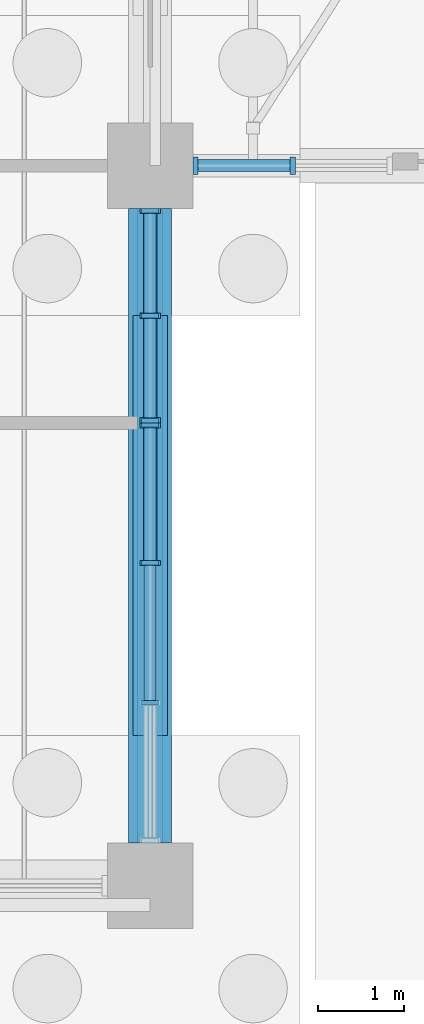
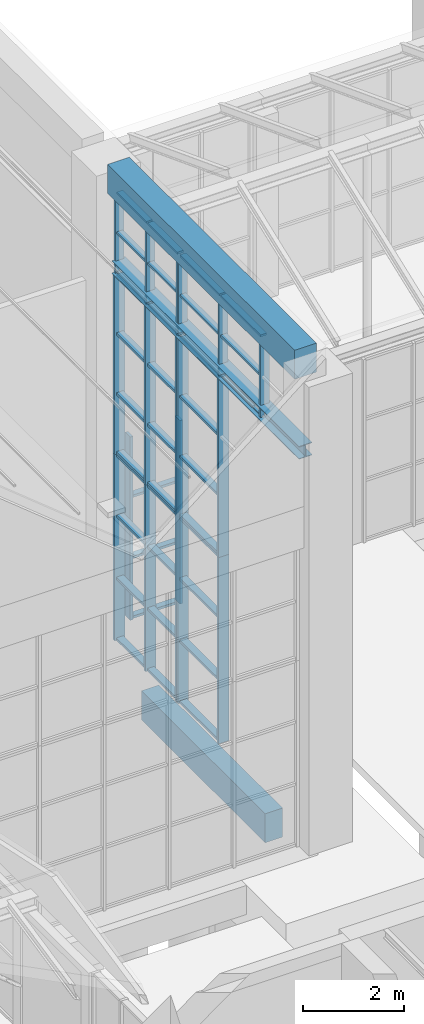
# One storey, part 54 of 138: 57 members, 3 beams, 7 elements without a shape of their own.
"""IFC4 building model written with IfcOpenShell, lengths in metres."""

import ifcopenshell
import ifcopenshell.guid

model = None  # the IFC model being written
_history = None  # IfcOwnerHistory: only IFC2X3 demands one
_inside = {}  # id of a spatial element -> (the spatial element, [elements in it])
_under = {}  # id of a project, library or spatial element -> (it, [spatial elements below it])
_declared = {}  # id of a project -> (the project, [libraries it declares])
_typed = {}  # id of a type object -> (the type object, [elements of that type])
_made_of = {}  # id of a material, layer set ... -> (it, [elements and type objects made of it])


def new_model(schema):
    """Start an empty IFC model of exactly this schema.

    Asked for "IFC4X3", IfcOpenShell would pick the latest addendum, in which some entities
    have other attributes; the version numbers below select the first issue.
    IFC2X3 requires an IfcOwnerHistory on every rooted entity: one is made here for all.
    """
    global model, _history
    if schema == "IFC4X3":
        model = ifcopenshell.file(schema_version=(4, 3, 0, 0))
    else:
        model = ifcopenshell.file(schema=schema)
    _inside.clear()
    _under.clear()
    _declared.clear()
    _typed.clear()
    _made_of.clear()
    _history = None
    if model.schema == "IFC2X3":
        org = make("IfcOrganization", Name="unknown")
        user = make(
            "IfcPersonAndOrganization",
            ThePerson=make("IfcPerson", FamilyName="unknown"),
            TheOrganization=org,
        )
        app = make(
            "IfcApplication",
            ApplicationDeveloper=org,
            Version="unknown",
            ApplicationFullName="unknown",
            ApplicationIdentifier="unknown",
        )
        _history = make(
            "IfcOwnerHistory",
            OwningUser=user,
            OwningApplication=app,
            ChangeAction="ADDED",
            CreationDate=0,
        )
    return model


def make(cls, **values):
    """One entity of the class cls with the attributes given. An attribute that is None is left unset."""
    return model.create_entity(
        cls, **{name: value for name, value in values.items() if value is not None}
    )


def rooted(cls, **values):
    """An entity with a GlobalId (a new one), such as an element, a storey or a relation."""
    return make(cls, GlobalId=ifcopenshell.guid.new(), OwnerHistory=_history, **values)


def si_unit(unit_type, name, prefix=None):
    """IfcSIUnit, for example si_unit("LENGTHUNIT", "METRE", prefix="MILLI")."""
    return make("IfcSIUnit", UnitType=unit_type, Prefix=prefix, Name=name)


def assignment(units):
    """IfcUnitAssignment: the units of a project."""
    return None if units is None else make("IfcUnitAssignment", Units=units)


def point(xyz):
    """IfcCartesianPoint."""
    return None if xyz is None else make("IfcCartesianPoint", Coordinates=xyz)


def direction(xyz):
    """IfcDirection."""
    return None if xyz is None else make("IfcDirection", DirectionRatios=xyz)


def frame(location, z_axis=None, x_axis=None):
    """IfcAxis2Placement3D, a coordinate frame: its origin and axes. An axis left out is left unset."""
    return make(
        "IfcAxis2Placement3D",
        Location=point(location),
        Axis=direction(z_axis),
        RefDirection=direction(x_axis),
    )


def frame_2d(location, x_axis=None):
    """IfcAxis2Placement2D, a coordinate frame in the plane: its origin and x axis."""
    return make(
        "IfcAxis2Placement2D", Location=point(location), RefDirection=direction(x_axis)
    )


def origin():
    """The frame at (0, 0, 0) with its axes left unset."""
    return frame((0.0, 0.0, 0.0))


def origin_2d():
    """The frame at (0, 0) in the plane with its x axis left unset."""
    return frame_2d((0.0, 0.0))


def place(relative_to, where):
    """IfcLocalPlacement: puts the frame where relative to a parent placement (None: the world)."""
    return make(
        "IfcLocalPlacement", PlacementRelTo=relative_to, RelativePlacement=where
    )


def context(
    kind, dimensions, precision=None, world=None, true_north=None, identifier=None
):
    """IfcGeometricRepresentationContext, for example the 3D "Model" context."""
    return make(
        "IfcGeometricRepresentationContext",
        ContextIdentifier=identifier,
        ContextType=kind,
        CoordinateSpaceDimension=dimensions,
        Precision=precision,
        WorldCoordinateSystem=world,
        TrueNorth=true_north,
    )


def subcontext(parent, identifier, kind, view, scale=None):
    """IfcGeometricRepresentationSubContext, for example "Body" below "Model"."""
    return make(
        "IfcGeometricRepresentationSubContext",
        ContextIdentifier=identifier,
        ContextType=kind,
        ParentContext=parent,
        TargetScale=scale,
        TargetView=view,
    )


def project(units=None, contexts=None):
    """IfcProject with its units and contexts."""
    return rooted(
        "IfcProject",
        Name="project",
        RepresentationContexts=contexts,
        UnitsInContext=assignment(units),
    )


def spatial(cls, under=None, at=None, **own):
    """A site, building, storey or space (cls), placed at a placement, below another one or the project."""
    s = rooted(cls, ObjectPlacement=at, **own)
    if under is not None:
        _under.setdefault(under.id(), (under, []))[1].append(s)
    return s


def profile(cls, at=None, kind="AREA", **sizes):
    """A parametric profile (cls). Its sizes go by their IFC names, for example OverallWidth=200.0."""
    return make(cls, ProfileType=kind, Position=at, **sizes)


def rectangle(**sizes):
    """IfcRectangleProfileDef."""
    return profile("IfcRectangleProfileDef", **sizes)


def i_section(**sizes):
    """IfcIShapeProfileDef."""
    return profile("IfcIShapeProfileDef", **sizes)


def extrude(swept, where, along, depth):
    """IfcExtrudedAreaSolid: the profile swept, set in the frame where, extruded along a direction by depth."""
    return make(
        "IfcExtrudedAreaSolid",
        SweptArea=swept,
        Position=where,
        ExtrudedDirection=direction(along),
        Depth=depth,
    )


def shape(context_of_items, identifier, shape_type, items):
    """IfcShapeRepresentation: the items that make up one representation, for example the "Body"."""
    return make(
        "IfcShapeRepresentation",
        ContextOfItems=context_of_items,
        RepresentationIdentifier=identifier,
        RepresentationType=shape_type,
        Items=items,
    )


def material(Name=None, Category=None):
    """IfcMaterial."""
    return make("IfcMaterial", Name=Name, Category=Category)


def material_profile(
    of_material, cross_section, Name=None, Category=None, Priority=None
):
    """IfcMaterialProfile: a cross section and its material."""
    return make(
        "IfcMaterialProfile",
        Name=Name,
        Material=of_material,
        Profile=cross_section,
        Priority=Priority,
        Category=Category,
    )


def profile_set(profiles, Name=None, composite=None):
    """IfcMaterialProfileSet."""
    return make(
        "IfcMaterialProfileSet",
        Name=Name,
        MaterialProfiles=profiles,
        CompositeProfile=composite,
    )


def made_of(thing, what):
    """Note that an element or type object is made of a material, layer set ...; save() writes the relation."""
    if what is not None:
        _made_of.setdefault(what.id(), (what, []))[1].append(thing)
    return thing


def type_object(cls, material=None, **own):
    """A type object (cls), such as IfcWallType, which elements share."""
    return made_of(rooted(cls, **own), material)


def element(
    cls,
    number,
    at=None,
    inside=None,
    cuts=None,
    type_object=None,
    material=None,
    context=None,
    identifier="Body",
    shape_type=None,
    held_by="IfcProductDefinitionShape",
    body=None,
    shapes=None,
    **own,
):
    """One element of the class cls, such as IfcWall. Its Tag is "e" and its number.

    at: its placement. inside: the storey or other place that contains it. cuts: it is an
    opening in that element (IfcRelVoidsElement). A single representation is given by context,
    identifier, shape_type and body (its items); several are given by shapes. held_by: the class
    of the entity that holds the representations. save() writes the other relations.
    """
    e = rooted(cls, Tag="e%d" % number, ObjectPlacement=at, **own)
    if body is not None:
        shapes = [shape(context, identifier, shape_type, body)]
    if shapes is not None:
        e.Representation = make(held_by, Representations=shapes)
    if inside is not None:
        _inside.setdefault(inside.id(), (inside, []))[1].append(e)
    if cuts is not None:
        rooted(
            "IfcRelVoidsElement", RelatingBuildingElement=cuts, RelatedOpeningElement=e
        )
    if type_object is not None:
        _typed.setdefault(type_object.id(), (type_object, []))[1].append(e)
    return made_of(e, material)


def aggregate(whole, parts):
    """IfcRelAggregates: a whole, such as a stair, and the parts it consists of."""
    return rooted("IfcRelAggregates", RelatingObject=whole, RelatedObjects=parts)


def save(model, path):
    """Write the relations noted so far, then the file.

    IfcRelAggregates (storeys below a building ...), IfcRelContainedInSpatialStructure (elements
    in a storey), IfcRelDefinesByType, IfcRelAssociatesMaterial and IfcRelDeclares: one each for
    every whole, place, type object, material and project.
    """
    for whole, parts in _under.values():
        aggregate(whole, parts)
    for where, things in _inside.values():
        rooted(
            "IfcRelContainedInSpatialStructure",
            RelatedElements=things,
            RelatingStructure=where,
        )
    for kind, things in _typed.values():
        rooted("IfcRelDefinesByType", RelatedObjects=things, RelatingType=kind)
    for what, things in _made_of.values():
        rooted("IfcRelAssociatesMaterial", RelatedObjects=things, RelatingMaterial=what)
    for by, libraries in _declared.values():
        rooted("IfcRelDeclares", RelatingContext=by, RelatedDefinitions=libraries)
    model.write(path)


model = new_model("IFC4")

# Units and contexts
model_context = context("Model", 3, precision=1e-05, world=origin(), true_north=direction((0.0, 1.0)))
body_context = subcontext(model_context, "Body", "Model", "MODEL_VIEW")
ifc_project = project(units=[si_unit("LENGTHUNIT", "METRE"), si_unit("AREAUNIT", "SQUARE_METRE"), si_unit("VOLUMEUNIT", "CUBIC_METRE"), si_unit("PLANEANGLEUNIT", "RADIAN"), si_unit("MASSUNIT", "GRAM", prefix="KILO")], contexts=[model_context])

# Site, building, storey
site_placement = place(None, origin())
site = spatial("IfcSite", under=ifc_project, at=site_placement, CompositionType="ELEMENT")
building_placement = place(site_placement, origin())
building = spatial("IfcBuilding", under=site, at=building_placement, Name="Yavir Park General Hospital", CompositionType="ELEMENT")
storey_placement = place(building_placement, origin())
storey = spatial("IfcBuildingStorey", under=building, at=storey_placement, Name="L00", CompositionType="ELEMENT", Elevation=0.0)

# Beam
ifc_material_1 = material(Name="Steel S355", Category="steel")
ifc_material_profile_1 = material_profile(ifc_material_1, i_section(OverallWidth=0.300048828125, OverallDepth=0.31005859375, WebThickness=0.009033203125, FlangeThickness=0.015380859375, FilletRadius=0.027099609375, at=origin_2d()), Name="HEA320")
ifc_profile_set_1 = profile_set([ifc_material_profile_1], Name="Steel S355")
beam_type_1 = type_object("IfcBeamType", Name="HEA 320 wind girder", PredefinedType="BEAM", material=ifc_profile_set_1)
beam_1_placement = place(storey_placement, frame((109.199951171875, 42.5, 9.0), z_axis=(0.0, 1.0, 0.0), x_axis=(-1.0, 0.0, 0.0)))
element("IfcBeam", 1, at=beam_1_placement, inside=storey, type_object=beam_type_1, Name="B:HALL:WIND:E0", PredefinedType="BEAM", context=body_context, shape_type="SweptSolid", body=[
    extrude(i_section(OverallWidth=0.300048828125, OverallDepth=0.31005859375, WebThickness=0.009033203125, FlangeThickness=0.015380859375, FilletRadius=0.027099609375, at=origin_2d()), origin(), (0.0, 0.0, 1.0), 7.39990234375),
])

# Curtain wall, members
ifc_material_2 = material(Name="Aluminium curtain wall frame with insulated glazing", Category="aluminium")
curtain_wall_type_1 = type_object("IfcCurtainWallType", Name="Main hall glazing, clerestory band, 1970 high, 1400 module", PredefinedType="NOTDEFINED", material=ifc_material_2)
curtain_wall_1_placement = place(storey_placement, origin())
curtain_wall_1 = element("IfcCurtainWall", 2, at=curtain_wall_1_placement, inside=storey, type_object=curtain_wall_type_1, Name="CW35 L00-060", PredefinedType="NOTDEFINED")
ifc_material_3 = material(Name="Aluminium", Category="aluminium")
ifc_material_profile_2 = material_profile(ifc_material_3, rectangle(XDim=0.199951171875, YDim=0.050048828125, at=origin_2d()), Name="AL 50x200")
ifc_profile_set_2 = profile_set([ifc_material_profile_2], Name="Aluminium")
member_type_1 = type_object("IfcMemberType", Name="Main hall glazing, clerestory band, 1970 high mullion 50 x 200", PredefinedType="MULLION", material=ifc_profile_set_2)
member_1_placement = place(storey_placement, frame((109.199951171875, 44.13330078125, 8.844970703125), z_axis=(0.0, 0.0, 1.0), x_axis=(-1.0, 0.0, 0.0)))
member_1 = element("IfcMember", 3, at=member_1_placement, type_object=member_type_1, Name="CW35 mullion 2", PredefinedType="MULLION", context=body_context, shape_type="SweptSolid", body=[
    extrude(rectangle(XDim=0.199951171875, YDim=0.050048828125, at=origin_2d()), origin(), (0.0, 0.0, 1.0), 1.969970703125),
])
member_2_placement = place(storey_placement, frame((109.199951171875, 45.7666015625, 8.844970703125), z_axis=(0.0, 0.0, 1.0), x_axis=(-1.0, 0.0, 0.0)))
member_2 = element("IfcMember", 4, at=member_2_placement, type_object=member_type_1, Name="CW35 mullion 3", PredefinedType="MULLION", context=body_context, shape_type="SweptSolid", body=[
    extrude(rectangle(XDim=0.199951171875, YDim=0.050048828125, at=origin_2d()), origin(), (0.0, 0.0, 1.0), 1.969970703125),
])
member_3_placement = place(storey_placement, frame((109.199951171875, 47.375, 8.844970703125), z_axis=(0.0, 0.0, 1.0), x_axis=(-1.0, 0.0, 0.0)))
member_3 = element("IfcMember", 5, at=member_3_placement, type_object=member_type_1, Name="CW35 mullion 4", PredefinedType="MULLION", context=body_context, shape_type="SweptSolid", body=[
    extrude(rectangle(XDim=0.199951171875, YDim=0.050048828125, at=origin_2d()), origin(), (0.0, 0.0, 1.0), 1.969970703125),
])

curtain_wall_2_placement = place(storey_placement, origin())
curtain_wall_2 = element("IfcCurtainWall", 6, at=curtain_wall_2_placement, inside=storey, type_object=curtain_wall_type_1, Name="CW35 L00-063", PredefinedType="NOTDEFINED")
member_4_placement = place(storey_placement, frame((109.199951171875, 47.425048828125, 8.844970703125), z_axis=(0.0, 0.0, 1.0), x_axis=(-1.0, 0.0, 0.0)))
member_4 = element("IfcMember", 7, at=member_4_placement, type_object=member_type_1, Name="CW35 mullion 1", PredefinedType="MULLION", context=body_context, shape_type="SweptSolid", body=[
    extrude(rectangle(XDim=0.199951171875, YDim=0.050048828125, at=origin_2d()), origin(), (0.0, 0.0, 1.0), 1.969970703125),
])
member_5_placement = place(storey_placement, frame((109.199951171875, 48.64990234375, 8.844970703125), z_axis=(0.0, 0.0, 1.0), x_axis=(-1.0, 0.0, 0.0)))
member_5 = element("IfcMember", 8, at=member_5_placement, type_object=member_type_1, Name="CW35 mullion 2", PredefinedType="MULLION", context=body_context, shape_type="SweptSolid", body=[
    extrude(rectangle(XDim=0.199951171875, YDim=0.050048828125, at=origin_2d()), origin(), (0.0, 0.0, 1.0), 1.969970703125),
])
member_6_placement = place(storey_placement, frame((109.199951171875, 49.875, 8.844970703125), z_axis=(0.0, 0.0, 1.0), x_axis=(-1.0, 0.0, 0.0)))
member_6 = element("IfcMember", 9, at=member_6_placement, type_object=member_type_1, Name="CW35 mullion 3", PredefinedType="MULLION", context=body_context, shape_type="SweptSolid", body=[
    extrude(rectangle(XDim=0.199951171875, YDim=0.050048828125, at=origin_2d()), origin(), (0.0, 0.0, 1.0), 1.969970703125),
])

# Member
ifc_material_4 = material(Name="Aluminium", Category="aluminium")
ifc_material_profile_3 = material_profile(ifc_material_4, rectangle(XDim=0.139892578125, YDim=0.050048828125, at=origin_2d()), Name="AL 140x50")
ifc_profile_set_3 = profile_set([ifc_material_profile_3], Name="Aluminium")
member_type_2 = type_object("IfcMemberType", Name="Main hall glazing, clerestory band, 1970 high transom 50 x 140", PredefinedType="MULLION", material=ifc_profile_set_3)
member_7_placement = place(storey_placement, frame((109.199951171875, 44.158447265625, 8.8701171875), z_axis=(0.0, 1.0, 0.0), x_axis=(-1.0, 0.0, 0.0)))
member_7 = element("IfcMember", 10, at=member_7_placement, type_object=member_type_2, Name="CW35 transom 2.1", PredefinedType="MULLION", context=body_context, shape_type="SweptSolid", body=[
    extrude(rectangle(XDim=0.139892578125, YDim=0.050048828125, at=origin_2d()), origin(), (0.0, 0.0, 1.0), 1.583251953125),
])

member_8_placement = place(storey_placement, frame((109.199951171875, 44.158447265625, 9.830078125), z_axis=(0.0, 1.0, 0.0), x_axis=(-1.0, 0.0, 0.0)))
member_8 = element("IfcMember", 11, at=member_8_placement, type_object=member_type_2, Name="CW35 transom 2.2", PredefinedType="MULLION", context=body_context, shape_type="SweptSolid", body=[
    extrude(rectangle(XDim=0.139892578125, YDim=0.050048828125, at=origin_2d()), origin(), (0.0, 0.0, 1.0), 1.583251953125),
])

member_9_placement = place(storey_placement, frame((109.199951171875, 44.158447265625, 10.7900390625), z_axis=(0.0, 1.0, 0.0), x_axis=(-1.0, 0.0, 0.0)))
member_9 = element("IfcMember", 12, at=member_9_placement, type_object=member_type_2, Name="CW35 transom 2.3", PredefinedType="MULLION", context=body_context, shape_type="SweptSolid", body=[
    extrude(rectangle(XDim=0.139892578125, YDim=0.050048828125, at=origin_2d()), origin(), (0.0, 0.0, 1.0), 1.583251953125),
])

member_10_placement = place(storey_placement, frame((109.199951171875, 45.791748046875, 8.8701171875), z_axis=(0.0, 1.0, 0.0), x_axis=(-1.0, 0.0, 0.0)))
member_10 = element("IfcMember", 13, at=member_10_placement, type_object=member_type_2, Name="CW35 transom 3.1", PredefinedType="MULLION", context=body_context, shape_type="SweptSolid", body=[
    extrude(rectangle(XDim=0.139892578125, YDim=0.050048828125, at=origin_2d()), origin(), (0.0, 0.0, 1.0), 1.558349609375),
])

member_11_placement = place(storey_placement, frame((109.199951171875, 45.791748046875, 9.830078125), z_axis=(0.0, 1.0, 0.0), x_axis=(-1.0, 0.0, 0.0)))
member_11 = element("IfcMember", 14, at=member_11_placement, type_object=member_type_2, Name="CW35 transom 3.2", PredefinedType="MULLION", context=body_context, shape_type="SweptSolid", body=[
    extrude(rectangle(XDim=0.139892578125, YDim=0.050048828125, at=origin_2d()), origin(), (0.0, 0.0, 1.0), 1.558349609375),
])

member_12_placement = place(storey_placement, frame((109.199951171875, 45.791748046875, 10.7900390625), z_axis=(0.0, 1.0, 0.0), x_axis=(-1.0, 0.0, 0.0)))
member_12 = element("IfcMember", 15, at=member_12_placement, type_object=member_type_2, Name="CW35 transom 3.3", PredefinedType="MULLION", context=body_context, shape_type="SweptSolid", body=[
    extrude(rectangle(XDim=0.139892578125, YDim=0.050048828125, at=origin_2d()), origin(), (0.0, 0.0, 1.0), 1.558349609375),
])

aggregate(curtain_wall_1, [member_1, member_2, member_3, member_7, member_8, member_9, member_10, member_11, member_12])

member_13_placement = place(storey_placement, frame((109.199951171875, 47.449951171875, 8.8701171875), z_axis=(0.0, 1.0, 0.0), x_axis=(-1.0, 0.0, 0.0)))
member_13 = element("IfcMember", 16, at=member_13_placement, type_object=member_type_2, Name="CW35 transom 1.1", PredefinedType="MULLION", context=body_context, shape_type="SweptSolid", body=[
    extrude(rectangle(XDim=0.139892578125, YDim=0.050048828125, at=origin_2d()), origin(), (0.0, 0.0, 1.0), 1.175048828125),
])

member_14_placement = place(storey_placement, frame((109.199951171875, 47.449951171875, 9.830078125), z_axis=(0.0, 1.0, 0.0), x_axis=(-1.0, 0.0, 0.0)))
member_14 = element("IfcMember", 17, at=member_14_placement, type_object=member_type_2, Name="CW35 transom 1.2", PredefinedType="MULLION", context=body_context, shape_type="SweptSolid", body=[
    extrude(rectangle(XDim=0.139892578125, YDim=0.050048828125, at=origin_2d()), origin(), (0.0, 0.0, 1.0), 1.175048828125),
])

member_15_placement = place(storey_placement, frame((109.199951171875, 47.449951171875, 10.7900390625), z_axis=(0.0, 1.0, 0.0), x_axis=(-1.0, 0.0, 0.0)))
member_15 = element("IfcMember", 18, at=member_15_placement, type_object=member_type_2, Name="CW35 transom 1.3", PredefinedType="MULLION", context=body_context, shape_type="SweptSolid", body=[
    extrude(rectangle(XDim=0.139892578125, YDim=0.050048828125, at=origin_2d()), origin(), (0.0, 0.0, 1.0), 1.175048828125),
])

member_16_placement = place(storey_placement, frame((109.199951171875, 48.675048828125, 8.8701171875), z_axis=(0.0, 1.0, 0.0), x_axis=(-1.0, 0.0, 0.0)))
member_16 = element("IfcMember", 19, at=member_16_placement, type_object=member_type_2, Name="CW35 transom 2.1", PredefinedType="MULLION", context=body_context, shape_type="SweptSolid", body=[
    extrude(rectangle(XDim=0.139892578125, YDim=0.050048828125, at=origin_2d()), origin(), (0.0, 0.0, 1.0), 1.175048828125),
])

member_17_placement = place(storey_placement, frame((109.199951171875, 48.675048828125, 9.830078125), z_axis=(0.0, 1.0, 0.0), x_axis=(-1.0, 0.0, 0.0)))
member_17 = element("IfcMember", 20, at=member_17_placement, type_object=member_type_2, Name="CW35 transom 2.2", PredefinedType="MULLION", context=body_context, shape_type="SweptSolid", body=[
    extrude(rectangle(XDim=0.139892578125, YDim=0.050048828125, at=origin_2d()), origin(), (0.0, 0.0, 1.0), 1.175048828125),
])

member_18_placement = place(storey_placement, frame((109.199951171875, 48.675048828125, 10.7900390625), z_axis=(0.0, 1.0, 0.0), x_axis=(-1.0, 0.0, 0.0)))
member_18 = element("IfcMember", 21, at=member_18_placement, type_object=member_type_2, Name="CW35 transom 2.3", PredefinedType="MULLION", context=body_context, shape_type="SweptSolid", body=[
    extrude(rectangle(XDim=0.139892578125, YDim=0.050048828125, at=origin_2d()), origin(), (0.0, 0.0, 1.0), 1.175048828125),
])

aggregate(curtain_wall_2, [member_4, member_5, member_6, member_13, member_14, member_15, member_16, member_17, member_18])

# Curtain wall, members
ifc_material_5 = material(Name="Aluminium curtain wall frame with insulated glazing", Category="aluminium")
curtain_wall_type_2 = type_object("IfcCurtainWallType", Name="Main hall glazing, lower band, 4500 high, 1400 module", PredefinedType="NOTDEFINED", material=ifc_material_5)
curtain_wall_3_placement = place(storey_placement, origin())
curtain_wall_3 = element("IfcCurtainWall", 22, at=curtain_wall_3_placement, inside=storey, type_object=curtain_wall_type_2, Name="CW33 L00-058", PredefinedType="NOTDEFINED")
ifc_material_6 = material(Name="Aluminium", Category="aluminium")
ifc_material_profile_4 = material_profile(ifc_material_6, rectangle(XDim=0.239990234375, YDim=0.06005859375, at=origin_2d()), Name="AL 60x240")
ifc_profile_set_4 = profile_set([ifc_material_profile_4], Name="Aluminium")
member_type_3 = type_object("IfcMemberType", Name="Main hall glazing, lower band, 4500 high mullion 60 x 240", PredefinedType="MULLION", material=ifc_profile_set_4)
member_19_placement = place(storey_placement, frame((109.199951171875, 45.7666015625, 0.0), z_axis=(0.0, 0.0, 1.0), x_axis=(-1.0, 0.0, 0.0)))
member_19 = element("IfcMember", 23, at=member_19_placement, type_object=member_type_3, Name="CW33 mullion 3", PredefinedType="MULLION", context=body_context, shape_type="SweptSolid", body=[
    extrude(rectangle(XDim=0.239990234375, YDim=0.06005859375, at=origin_2d()), origin(), (0.0, 0.0, 1.0), 4.5),
])
member_20_placement = place(storey_placement, frame((109.199951171875, 47.3701171875, 0.0), z_axis=(0.0, 0.0, 1.0), x_axis=(-1.0, 0.0, 0.0)))
member_20 = element("IfcMember", 24, at=member_20_placement, type_object=member_type_3, Name="CW33 mullion 4", PredefinedType="MULLION", context=body_context, shape_type="SweptSolid", body=[
    extrude(rectangle(XDim=0.239990234375, YDim=0.06005859375, at=origin_2d()), origin(), (0.0, 0.0, 1.0), 4.5),
])

curtain_wall_4_placement = place(storey_placement, origin())
curtain_wall_4 = element("IfcCurtainWall", 25, at=curtain_wall_4_placement, inside=storey, type_object=curtain_wall_type_2, Name="CW33 L00-061", PredefinedType="NOTDEFINED")
member_21_placement = place(storey_placement, frame((109.199951171875, 47.429931640625, 0.0), z_axis=(0.0, 0.0, 1.0), x_axis=(-1.0, 0.0, 0.0)))
member_21 = element("IfcMember", 26, at=member_21_placement, type_object=member_type_3, Name="CW33 mullion 1", PredefinedType="MULLION", context=body_context, shape_type="SweptSolid", body=[
    extrude(rectangle(XDim=0.239990234375, YDim=0.06005859375, at=origin_2d()), origin(), (0.0, 0.0, 1.0), 4.5),
])
member_22_placement = place(storey_placement, frame((109.199951171875, 48.64990234375, 0.0), z_axis=(0.0, 0.0, 1.0), x_axis=(-1.0, 0.0, 0.0)))
member_22 = element("IfcMember", 27, at=member_22_placement, type_object=member_type_3, Name="CW33 mullion 2", PredefinedType="MULLION", context=body_context, shape_type="SweptSolid", body=[
    extrude(rectangle(XDim=0.239990234375, YDim=0.06005859375, at=origin_2d()), origin(), (0.0, 0.0, 1.0), 4.5),
])
member_23_placement = place(storey_placement, frame((109.199951171875, 49.8701171875, 0.0), z_axis=(0.0, 0.0, 1.0), x_axis=(-1.0, 0.0, 0.0)))
member_23 = element("IfcMember", 28, at=member_23_placement, type_object=member_type_3, Name="CW33 mullion 3", PredefinedType="MULLION", context=body_context, shape_type="SweptSolid", body=[
    extrude(rectangle(XDim=0.239990234375, YDim=0.06005859375, at=origin_2d()), origin(), (0.0, 0.0, 1.0), 4.5),
])

# Member
ifc_material_7 = material(Name="Aluminium", Category="aluminium")
ifc_material_profile_5 = material_profile(ifc_material_7, rectangle(XDim=0.159912109375, YDim=0.06005859375, at=origin_2d()), Name="AL 160x60")
ifc_profile_set_5 = profile_set([ifc_material_profile_5], Name="Aluminium")
member_type_4 = type_object("IfcMemberType", Name="Main hall glazing, lower band, 4500 high transom 60 x 160", PredefinedType="MULLION", material=ifc_profile_set_5)
member_24_placement = place(storey_placement, frame((109.199951171875, 45.796630859375, 0.030029296875), z_axis=(0.0, 1.0, 0.0), x_axis=(-1.0, 0.0, 0.0)))
member_24 = element("IfcMember", 29, at=member_24_placement, type_object=member_type_4, Name="CW33 transom 3.1", PredefinedType="MULLION", context=body_context, shape_type="SweptSolid", body=[
    extrude(rectangle(XDim=0.159912109375, YDim=0.06005859375, at=origin_2d()), origin(), (0.0, 0.0, 1.0), 1.54345703125),
])

member_25_placement = place(storey_placement, frame((109.199951171875, 45.796630859375, 1.5), z_axis=(0.0, 1.0, 0.0), x_axis=(-1.0, 0.0, 0.0)))
member_25 = element("IfcMember", 30, at=member_25_placement, type_object=member_type_4, Name="CW33 transom 3.2", PredefinedType="MULLION", context=body_context, shape_type="SweptSolid", body=[
    extrude(rectangle(XDim=0.159912109375, YDim=0.06005859375, at=origin_2d()), origin(), (0.0, 0.0, 1.0), 1.54345703125),
])

member_26_placement = place(storey_placement, frame((109.199951171875, 45.796630859375, 3.0), z_axis=(0.0, 1.0, 0.0), x_axis=(-1.0, 0.0, 0.0)))
member_26 = element("IfcMember", 31, at=member_26_placement, type_object=member_type_4, Name="CW33 transom 3.3", PredefinedType="MULLION", context=body_context, shape_type="SweptSolid", body=[
    extrude(rectangle(XDim=0.159912109375, YDim=0.06005859375, at=origin_2d()), origin(), (0.0, 0.0, 1.0), 1.54345703125),
])

member_27_placement = place(storey_placement, frame((109.199951171875, 45.796630859375, 4.469970703125), z_axis=(0.0, 1.0, 0.0), x_axis=(-1.0, 0.0, 0.0)))
member_27 = element("IfcMember", 32, at=member_27_placement, type_object=member_type_4, Name="CW33 transom 3.4", PredefinedType="MULLION", context=body_context, shape_type="SweptSolid", body=[
    extrude(rectangle(XDim=0.159912109375, YDim=0.06005859375, at=origin_2d()), origin(), (0.0, 0.0, 1.0), 1.54345703125),
])

aggregate(curtain_wall_3, [member_19, member_20, member_24, member_25, member_26, member_27])

member_28_placement = place(storey_placement, frame((109.199951171875, 47.4599609375, 0.030029296875), z_axis=(0.0, 1.0, 0.0), x_axis=(-1.0, 0.0, 0.0)))
member_28 = element("IfcMember", 33, at=member_28_placement, type_object=member_type_4, Name="CW33 transom 1.1", PredefinedType="MULLION", context=body_context, shape_type="SweptSolid", body=[
    extrude(rectangle(XDim=0.159912109375, YDim=0.06005859375, at=origin_2d()), origin(), (0.0, 0.0, 1.0), 1.16015625),
])

member_29_placement = place(storey_placement, frame((109.199951171875, 47.4599609375, 1.5), z_axis=(0.0, 1.0, 0.0), x_axis=(-1.0, 0.0, 0.0)))
member_29 = element("IfcMember", 34, at=member_29_placement, type_object=member_type_4, Name="CW33 transom 1.2", PredefinedType="MULLION", context=body_context, shape_type="SweptSolid", body=[
    extrude(rectangle(XDim=0.159912109375, YDim=0.06005859375, at=origin_2d()), origin(), (0.0, 0.0, 1.0), 1.16015625),
])

member_30_placement = place(storey_placement, frame((109.199951171875, 47.4599609375, 3.0), z_axis=(0.0, 1.0, 0.0), x_axis=(-1.0, 0.0, 0.0)))
member_30 = element("IfcMember", 35, at=member_30_placement, type_object=member_type_4, Name="CW33 transom 1.3", PredefinedType="MULLION", context=body_context, shape_type="SweptSolid", body=[
    extrude(rectangle(XDim=0.159912109375, YDim=0.06005859375, at=origin_2d()), origin(), (0.0, 0.0, 1.0), 1.16015625),
])

member_31_placement = place(storey_placement, frame((109.199951171875, 47.4599609375, 4.469970703125), z_axis=(0.0, 1.0, 0.0), x_axis=(-1.0, 0.0, 0.0)))
member_31 = element("IfcMember", 36, at=member_31_placement, type_object=member_type_4, Name="CW33 transom 1.4", PredefinedType="MULLION", context=body_context, shape_type="SweptSolid", body=[
    extrude(rectangle(XDim=0.159912109375, YDim=0.06005859375, at=origin_2d()), origin(), (0.0, 0.0, 1.0), 1.16015625),
])

member_32_placement = place(storey_placement, frame((109.199951171875, 48.679931640625, 0.030029296875), z_axis=(0.0, 1.0, 0.0), x_axis=(-1.0, 0.0, 0.0)))
member_32 = element("IfcMember", 37, at=member_32_placement, type_object=member_type_4, Name="CW33 transom 2.1", PredefinedType="MULLION", context=body_context, shape_type="SweptSolid", body=[
    extrude(rectangle(XDim=0.159912109375, YDim=0.06005859375, at=origin_2d()), origin(), (0.0, 0.0, 1.0), 1.16015625),
])

member_33_placement = place(storey_placement, frame((109.199951171875, 48.679931640625, 1.5), z_axis=(0.0, 1.0, 0.0), x_axis=(-1.0, 0.0, 0.0)))
member_33 = element("IfcMember", 38, at=member_33_placement, type_object=member_type_4, Name="CW33 transom 2.2", PredefinedType="MULLION", context=body_context, shape_type="SweptSolid", body=[
    extrude(rectangle(XDim=0.159912109375, YDim=0.06005859375, at=origin_2d()), origin(), (0.0, 0.0, 1.0), 1.16015625),
])

member_34_placement = place(storey_placement, frame((109.199951171875, 48.679931640625, 3.0), z_axis=(0.0, 1.0, 0.0), x_axis=(-1.0, 0.0, 0.0)))
member_34 = element("IfcMember", 39, at=member_34_placement, type_object=member_type_4, Name="CW33 transom 2.3", PredefinedType="MULLION", context=body_context, shape_type="SweptSolid", body=[
    extrude(rectangle(XDim=0.159912109375, YDim=0.06005859375, at=origin_2d()), origin(), (0.0, 0.0, 1.0), 1.16015625),
])

member_35_placement = place(storey_placement, frame((109.199951171875, 48.679931640625, 4.469970703125), z_axis=(0.0, 1.0, 0.0), x_axis=(-1.0, 0.0, 0.0)))
member_35 = element("IfcMember", 40, at=member_35_placement, type_object=member_type_4, Name="CW33 transom 2.4", PredefinedType="MULLION", context=body_context, shape_type="SweptSolid", body=[
    extrude(rectangle(XDim=0.159912109375, YDim=0.06005859375, at=origin_2d()), origin(), (0.0, 0.0, 1.0), 1.16015625),
])

aggregate(curtain_wall_4, [member_21, member_22, member_23, member_28, member_29, member_30, member_31, member_32, member_33, member_34, member_35])

# Curtain wall, members
ifc_material_8 = material(Name="Aluminium curtain wall frame with insulated glazing", Category="aluminium")
curtain_wall_type_3 = type_object("IfcCurtainWallType", Name="Main hall glazing, upper band, 4345 high, 1400 module", PredefinedType="NOTDEFINED", material=ifc_material_8)
curtain_wall_5_placement = place(storey_placement, origin())
curtain_wall_5 = element("IfcCurtainWall", 41, at=curtain_wall_5_placement, inside=storey, type_object=curtain_wall_type_3, Name="CW52 L00-059", PredefinedType="NOTDEFINED")
ifc_material_9 = material(Name="Aluminium", Category="aluminium")
ifc_material_profile_6 = material_profile(ifc_material_9, rectangle(XDim=0.239990234375, YDim=0.06005859375, at=origin_2d()), Name="AL 60x240")
ifc_profile_set_6 = profile_set([ifc_material_profile_6], Name="Aluminium")
member_type_5 = type_object("IfcMemberType", Name="Main hall glazing, upper band, 4345 high mullion 60 x 240", PredefinedType="MULLION", material=ifc_profile_set_6)
member_36_placement = place(storey_placement, frame((109.199951171875, 45.7666015625, 4.5), z_axis=(0.0, 0.0, 1.0), x_axis=(-1.0, 0.0, 0.0)))
member_36 = element("IfcMember", 42, at=member_36_placement, type_object=member_type_5, Name="CW52 mullion 3", PredefinedType="MULLION", context=body_context, shape_type="SweptSolid", body=[
    extrude(rectangle(XDim=0.239990234375, YDim=0.06005859375, at=origin_2d()), origin(), (0.0, 0.0, 1.0), 4.344970703125),
])
member_37_placement = place(storey_placement, frame((109.199951171875, 47.3701171875, 4.5), z_axis=(0.0, 0.0, 1.0), x_axis=(-1.0, 0.0, 0.0)))
member_37 = element("IfcMember", 43, at=member_37_placement, type_object=member_type_5, Name="CW52 mullion 4", PredefinedType="MULLION", context=body_context, shape_type="SweptSolid", body=[
    extrude(rectangle(XDim=0.239990234375, YDim=0.06005859375, at=origin_2d()), origin(), (0.0, 0.0, 1.0), 4.344970703125),
])

curtain_wall_6_placement = place(storey_placement, origin())
curtain_wall_6 = element("IfcCurtainWall", 44, at=curtain_wall_6_placement, inside=storey, type_object=curtain_wall_type_3, Name="CW52 L00-062", PredefinedType="NOTDEFINED")
member_38_placement = place(storey_placement, frame((109.199951171875, 47.429931640625, 4.5), z_axis=(0.0, 0.0, 1.0), x_axis=(-1.0, 0.0, 0.0)))
member_38 = element("IfcMember", 45, at=member_38_placement, type_object=member_type_5, Name="CW52 mullion 1", PredefinedType="MULLION", context=body_context, shape_type="SweptSolid", body=[
    extrude(rectangle(XDim=0.239990234375, YDim=0.06005859375, at=origin_2d()), origin(), (0.0, 0.0, 1.0), 4.344970703125),
])
member_39_placement = place(storey_placement, frame((109.199951171875, 48.64990234375, 4.5), z_axis=(0.0, 0.0, 1.0), x_axis=(-1.0, 0.0, 0.0)))
member_39 = element("IfcMember", 46, at=member_39_placement, type_object=member_type_5, Name="CW52 mullion 2", PredefinedType="MULLION", context=body_context, shape_type="SweptSolid", body=[
    extrude(rectangle(XDim=0.239990234375, YDim=0.06005859375, at=origin_2d()), origin(), (0.0, 0.0, 1.0), 4.344970703125),
])
member_40_placement = place(storey_placement, frame((109.199951171875, 49.8701171875, 4.5), z_axis=(0.0, 0.0, 1.0), x_axis=(-1.0, 0.0, 0.0)))
member_40 = element("IfcMember", 47, at=member_40_placement, type_object=member_type_5, Name="CW52 mullion 3", PredefinedType="MULLION", context=body_context, shape_type="SweptSolid", body=[
    extrude(rectangle(XDim=0.239990234375, YDim=0.06005859375, at=origin_2d()), origin(), (0.0, 0.0, 1.0), 4.344970703125),
])

# Member
ifc_material_10 = material(Name="Aluminium", Category="aluminium")
ifc_material_profile_7 = material_profile(ifc_material_10, rectangle(XDim=0.159912109375, YDim=0.06005859375, at=origin_2d()), Name="AL 160x60")
ifc_profile_set_7 = profile_set([ifc_material_profile_7], Name="Aluminium")
member_type_6 = type_object("IfcMemberType", Name="Main hall glazing, upper band, 4345 high transom 60 x 160", PredefinedType="MULLION", material=ifc_profile_set_7)
member_41_placement = place(storey_placement, frame((109.199951171875, 45.796630859375, 4.530029296875), z_axis=(0.0, 1.0, 0.0), x_axis=(-1.0, 0.0, 0.0)))
member_41 = element("IfcMember", 48, at=member_41_placement, type_object=member_type_6, Name="CW52 transom 3.1", PredefinedType="MULLION", context=body_context, shape_type="SweptSolid", body=[
    extrude(rectangle(XDim=0.159912109375, YDim=0.06005859375, at=origin_2d()), origin(), (0.0, 0.0, 1.0), 1.54345703125),
])

member_42_placement = place(storey_placement, frame((109.199951171875, 45.796630859375, 5.9482421875), z_axis=(0.0, 1.0, 0.0), x_axis=(-1.0, 0.0, 0.0)))
member_42 = element("IfcMember", 49, at=member_42_placement, type_object=member_type_6, Name="CW52 transom 3.2", PredefinedType="MULLION", context=body_context, shape_type="SweptSolid", body=[
    extrude(rectangle(XDim=0.159912109375, YDim=0.06005859375, at=origin_2d()), origin(), (0.0, 0.0, 1.0), 1.54345703125),
])

member_43_placement = place(storey_placement, frame((109.199951171875, 45.796630859375, 7.396728515625), z_axis=(0.0, 1.0, 0.0), x_axis=(-1.0, 0.0, 0.0)))
member_43 = element("IfcMember", 50, at=member_43_placement, type_object=member_type_6, Name="CW52 transom 3.3", PredefinedType="MULLION", context=body_context, shape_type="SweptSolid", body=[
    extrude(rectangle(XDim=0.159912109375, YDim=0.06005859375, at=origin_2d()), origin(), (0.0, 0.0, 1.0), 1.54345703125),
])

member_44_placement = place(storey_placement, frame((109.199951171875, 45.796630859375, 8.81494140625), z_axis=(0.0, 1.0, 0.0), x_axis=(-1.0, 0.0, 0.0)))
member_44 = element("IfcMember", 51, at=member_44_placement, type_object=member_type_6, Name="CW52 transom 3.4", PredefinedType="MULLION", context=body_context, shape_type="SweptSolid", body=[
    extrude(rectangle(XDim=0.159912109375, YDim=0.06005859375, at=origin_2d()), origin(), (0.0, 0.0, 1.0), 1.54345703125),
])

aggregate(curtain_wall_5, [member_36, member_37, member_41, member_42, member_43, member_44])

member_45_placement = place(storey_placement, frame((109.199951171875, 47.4599609375, 4.530029296875), z_axis=(0.0, 1.0, 0.0), x_axis=(-1.0, 0.0, 0.0)))
member_45 = element("IfcMember", 52, at=member_45_placement, type_object=member_type_6, Name="CW52 transom 1.1", PredefinedType="MULLION", context=body_context, shape_type="SweptSolid", body=[
    extrude(rectangle(XDim=0.159912109375, YDim=0.06005859375, at=origin_2d()), origin(), (0.0, 0.0, 1.0), 1.16015625),
])

member_46_placement = place(storey_placement, frame((109.199951171875, 47.4599609375, 5.9482421875), z_axis=(0.0, 1.0, 0.0), x_axis=(-1.0, 0.0, 0.0)))
member_46 = element("IfcMember", 53, at=member_46_placement, type_object=member_type_6, Name="CW52 transom 1.2", PredefinedType="MULLION", context=body_context, shape_type="SweptSolid", body=[
    extrude(rectangle(XDim=0.159912109375, YDim=0.06005859375, at=origin_2d()), origin(), (0.0, 0.0, 1.0), 1.16015625),
])

member_47_placement = place(storey_placement, frame((109.199951171875, 47.4599609375, 7.396728515625), z_axis=(0.0, 1.0, 0.0), x_axis=(-1.0, 0.0, 0.0)))
member_47 = element("IfcMember", 54, at=member_47_placement, type_object=member_type_6, Name="CW52 transom 1.3", PredefinedType="MULLION", context=body_context, shape_type="SweptSolid", body=[
    extrude(rectangle(XDim=0.159912109375, YDim=0.06005859375, at=origin_2d()), origin(), (0.0, 0.0, 1.0), 1.16015625),
])

member_48_placement = place(storey_placement, frame((109.199951171875, 47.4599609375, 8.81494140625), z_axis=(0.0, 1.0, 0.0), x_axis=(-1.0, 0.0, 0.0)))
member_48 = element("IfcMember", 55, at=member_48_placement, type_object=member_type_6, Name="CW52 transom 1.4", PredefinedType="MULLION", context=body_context, shape_type="SweptSolid", body=[
    extrude(rectangle(XDim=0.159912109375, YDim=0.06005859375, at=origin_2d()), origin(), (0.0, 0.0, 1.0), 1.16015625),
])

member_49_placement = place(storey_placement, frame((109.199951171875, 48.679931640625, 4.530029296875), z_axis=(0.0, 1.0, 0.0), x_axis=(-1.0, 0.0, 0.0)))
member_49 = element("IfcMember", 56, at=member_49_placement, type_object=member_type_6, Name="CW52 transom 2.1", PredefinedType="MULLION", context=body_context, shape_type="SweptSolid", body=[
    extrude(rectangle(XDim=0.159912109375, YDim=0.06005859375, at=origin_2d()), origin(), (0.0, 0.0, 1.0), 1.16015625),
])

member_50_placement = place(storey_placement, frame((109.199951171875, 48.679931640625, 5.9482421875), z_axis=(0.0, 1.0, 0.0), x_axis=(-1.0, 0.0, 0.0)))
member_50 = element("IfcMember", 57, at=member_50_placement, type_object=member_type_6, Name="CW52 transom 2.2", PredefinedType="MULLION", context=body_context, shape_type="SweptSolid", body=[
    extrude(rectangle(XDim=0.159912109375, YDim=0.06005859375, at=origin_2d()), origin(), (0.0, 0.0, 1.0), 1.16015625),
])

member_51_placement = place(storey_placement, frame((109.199951171875, 48.679931640625, 7.396728515625), z_axis=(0.0, 1.0, 0.0), x_axis=(-1.0, 0.0, 0.0)))
member_51 = element("IfcMember", 58, at=member_51_placement, type_object=member_type_6, Name="CW52 transom 2.3", PredefinedType="MULLION", context=body_context, shape_type="SweptSolid", body=[
    extrude(rectangle(XDim=0.159912109375, YDim=0.06005859375, at=origin_2d()), origin(), (0.0, 0.0, 1.0), 1.16015625),
])

member_52_placement = place(storey_placement, frame((109.199951171875, 48.679931640625, 8.81494140625), z_axis=(0.0, 1.0, 0.0), x_axis=(-1.0, 0.0, 0.0)))
member_52 = element("IfcMember", 59, at=member_52_placement, type_object=member_type_6, Name="CW52 transom 2.4", PredefinedType="MULLION", context=body_context, shape_type="SweptSolid", body=[
    extrude(rectangle(XDim=0.159912109375, YDim=0.06005859375, at=origin_2d()), origin(), (0.0, 0.0, 1.0), 1.16015625),
])

aggregate(curtain_wall_6, [member_38, member_39, member_40, member_45, member_46, member_47, member_48, member_49, member_50, member_51, member_52])

# Beams
ifc_material_11 = material(Name="Concrete C35/45", Category="concrete")
ifc_material_profile_8 = material_profile(ifc_material_11, rectangle(XDim=0.39990234375, YDim=0.699951171875, at=origin_2d()), Name="RC400x700")
ifc_profile_set_8 = profile_set([ifc_material_profile_8], Name="Concrete C35/45")
beam_type_2 = type_object("IfcBeamType", Name="RC BEAM 400x700 ground beam", PredefinedType="BEAM", material=ifc_profile_set_8)
beam_2_placement = place(storey_placement, frame((109.199951171875, 43.75, -0.800048828125), z_axis=(0.0, 1.0, 0.0), x_axis=(-1.0, 0.0, 0.0)))
element("IfcBeam", 60, at=beam_2_placement, inside=storey, type_object=beam_type_2, Name="B:GND:L00:14F:L00:14G", PredefinedType="BEAM", context=body_context, shape_type="SweptSolid", body=[
    extrude(rectangle(XDim=0.39990234375, YDim=0.699951171875, at=origin_2d()), origin(), (0.0, 0.0, 1.0), 4.89990234375),
])
ifc_material_12 = material(Name="Concrete C35/45", Category="concrete")
ifc_material_profile_9 = material_profile(ifc_material_12, rectangle(XDim=0.5, YDim=0.699951171875, at=origin_2d()), Name="RC500x700")
ifc_profile_set_9 = profile_set([ifc_material_profile_9], Name="Concrete C35/45")
beam_type_3 = type_object("IfcBeamType", Name="RC BEAM 500x700 hall edge girder", PredefinedType="BEAM", material=ifc_profile_set_9)
beam_3_placement = place(storey_placement, frame((109.199951171875, 42.5, 11.1650390625), z_axis=(0.0, 1.0, 0.0), x_axis=(-1.0, 0.0, 0.0)))
element("IfcBeam", 61, at=beam_3_placement, inside=storey, type_object=beam_type_3, Name="B:HALL:EDGE:E0", PredefinedType="BEAM", context=body_context, shape_type="SweptSolid", body=[
    extrude(rectangle(XDim=0.5, YDim=0.699951171875, at=origin_2d()), origin(), (0.0, 0.0, 1.0), 7.39990234375),
])

# Curtain wall, members
ifc_material_13 = material(Name="Aluminium curtain wall frame with insulated glazing", Category="aluminium")
curtain_wall_type_4 = type_object("IfcCurtainWallType", Name="Winter-garden concourse glazing, 4425 high, 1400 module", PredefinedType="NOTDEFINED", material=ifc_material_13)
curtain_wall_7_placement = place(storey_placement, origin())
curtain_wall_7 = element("IfcCurtainWall", 62, at=curtain_wall_7_placement, inside=storey, type_object=curtain_wall_type_4, Name="CW37 L00-013", PredefinedType="NOTDEFINED")
ifc_material_14 = material(Name="Aluminium", Category="aluminium")
ifc_material_profile_10 = material_profile(ifc_material_14, rectangle(XDim=0.199951171875, YDim=0.06005859375, at=origin_2d()), Name="AL 60x200")
ifc_profile_set_10 = profile_set([ifc_material_profile_10], Name="Aluminium")
member_type_7 = type_object("IfcMemberType", Name="Winter-garden concourse glazing, 4425 high mullion 60 x 200", PredefinedType="MULLION", material=ifc_profile_set_10)
member_53_placement = place(storey_placement, frame((109.72998046875, 50.39990234375, 0.0), z_axis=(0.0, 0.0, 1.0), x_axis=(0.0, 1.0, 0.0)))
member_53 = element("IfcMember", 63, at=member_53_placement, type_object=member_type_7, Name="CW37 mullion 1", PredefinedType="MULLION", context=body_context, shape_type="SweptSolid", body=[
    extrude(rectangle(XDim=0.199951171875, YDim=0.06005859375, at=origin_2d()), origin(), (0.0, 0.0, 1.0), 4.425048828125),
])
member_54_placement = place(storey_placement, frame((110.862548828125, 50.39990234375, 0.0), z_axis=(0.0, 0.0, 1.0), x_axis=(0.0, 1.0, 0.0)))
member_54 = element("IfcMember", 64, at=member_54_placement, type_object=member_type_7, Name="CW37 mullion 2", PredefinedType="MULLION", context=body_context, shape_type="SweptSolid", body=[
    extrude(rectangle(XDim=0.199951171875, YDim=0.06005859375, at=origin_2d()), origin(), (0.0, 0.0, 1.0), 4.425048828125),
])
ifc_material_15 = material(Name="Aluminium", Category="aluminium")
ifc_material_profile_11 = material_profile(ifc_material_15, rectangle(XDim=0.139892578125, YDim=0.06005859375, at=origin_2d()), Name="AL 140x60")
ifc_profile_set_11 = profile_set([ifc_material_profile_11], Name="Aluminium")
member_type_8 = type_object("IfcMemberType", Name="Winter-garden concourse glazing, 4425 high transom 60 x 140", PredefinedType="MULLION", material=ifc_profile_set_11)
member_55_placement = place(storey_placement, frame((109.760009765625, 50.39990234375, 0.030029296875), z_axis=(1.0, 0.0, 0.0), x_axis=(0.0, 1.0, 0.0)))
member_55 = element("IfcMember", 65, at=member_55_placement, type_object=member_type_8, Name="CW37 transom 1.1", PredefinedType="MULLION", context=body_context, shape_type="SweptSolid", body=[
    extrude(rectangle(XDim=0.139892578125, YDim=0.06005859375, at=origin_2d()), origin(), (0.0, 0.0, 1.0), 1.072509765625),
])
member_56_placement = place(storey_placement, frame((109.760009765625, 50.39990234375, 1.47509765625), z_axis=(1.0, 0.0, 0.0), x_axis=(0.0, 1.0, 0.0)))
member_56 = element("IfcMember", 66, at=member_56_placement, type_object=member_type_8, Name="CW37 transom 1.2", PredefinedType="MULLION", context=body_context, shape_type="SweptSolid", body=[
    extrude(rectangle(XDim=0.139892578125, YDim=0.06005859375, at=origin_2d()), origin(), (0.0, 0.0, 1.0), 1.072509765625),
])
member_57_placement = place(storey_placement, frame((109.760009765625, 50.39990234375, 2.949951171875), z_axis=(1.0, 0.0, 0.0), x_axis=(0.0, 1.0, 0.0)))
member_57 = element("IfcMember", 67, at=member_57_placement, type_object=member_type_8, Name="CW37 transom 1.3", PredefinedType="MULLION", context=body_context, shape_type="SweptSolid", body=[
    extrude(rectangle(XDim=0.139892578125, YDim=0.06005859375, at=origin_2d()), origin(), (0.0, 0.0, 1.0), 1.072509765625),
])
aggregate(curtain_wall_7, [member_53, member_54, member_55, member_56, member_57])

save(model, "model.ifc")
